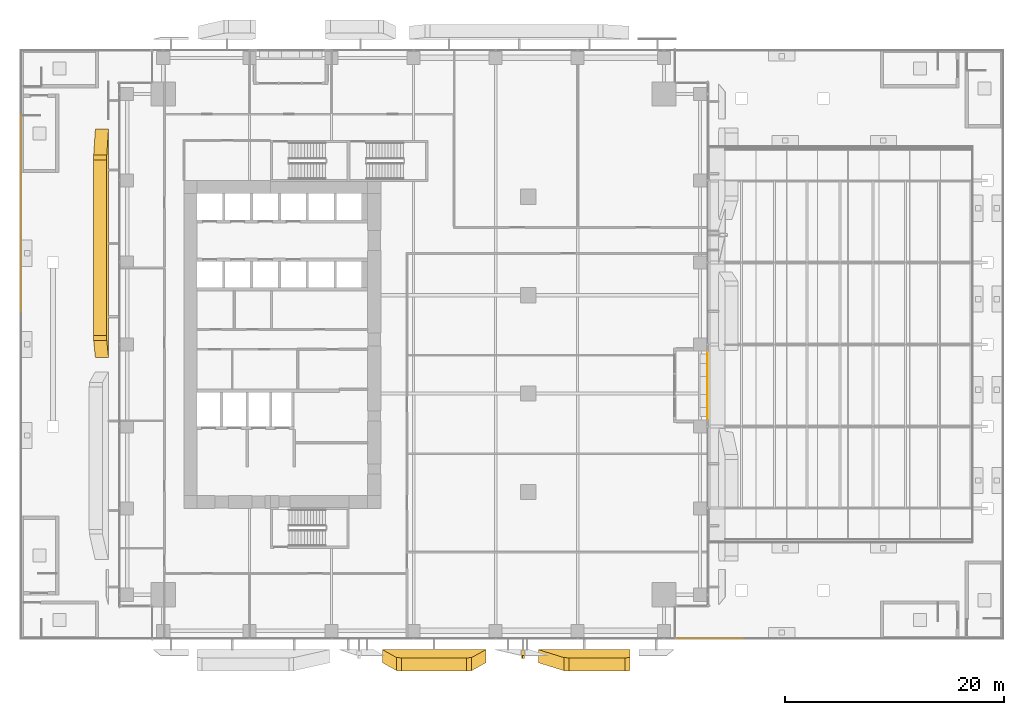
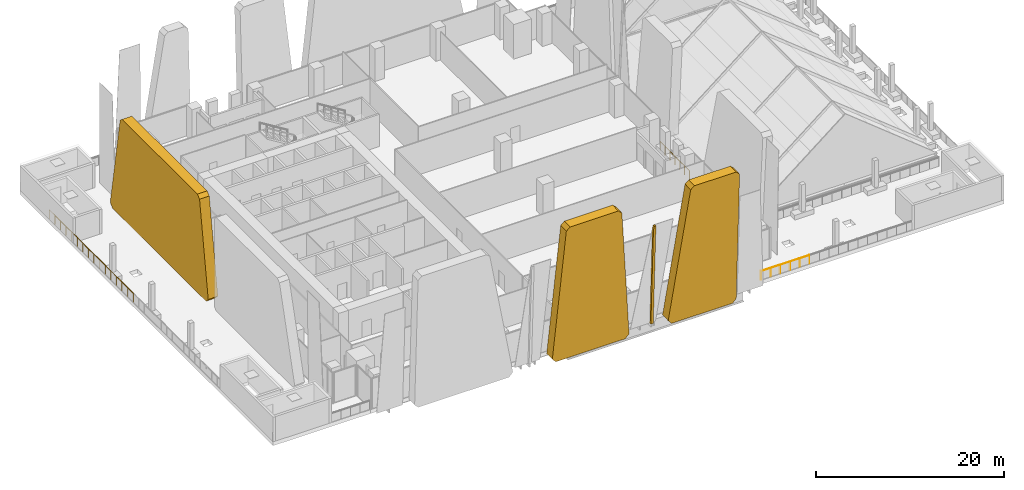
# One storey, part 43 of 46: 5 railings, 4 coverings.
"""IFC4 building model written with IfcOpenShell, lengths in metres."""

from ifc_helpers import new_model, si_unit, direction, frame, origin, origin_2d, place, context, subcontext, project, spatial, polyline, circle, outline, extrude, source, transform, mapped, material, layer, layer_set, type_object, element, save


model = new_model("IFC4")

# Units and contexts
model_context = context("Model", 3, precision=1e-05, world=origin(), true_north=direction((0.0, 1.0)))
body_context = subcontext(model_context, "Body", "Model", "MODEL_VIEW")
ifc_project = project(units=[si_unit("LENGTHUNIT", "METRE"), si_unit("AREAUNIT", "SQUARE_METRE"), si_unit("VOLUMEUNIT", "CUBIC_METRE"), si_unit("PLANEANGLEUNIT", "RADIAN"), si_unit("MASSUNIT", "GRAM", prefix="KILO")], contexts=[model_context])

# Site, building, storey
site_placement = place(None, origin())
site = spatial("IfcSite", under=ifc_project, at=site_placement, CompositionType="ELEMENT")
building_placement = place(site_placement, origin())
building = spatial("IfcBuilding", under=site, at=building_placement, Name="Khomas Fold Tower", CompositionType="ELEMENT")
storey_placement = place(building_placement, frame((0.0, 0.0, 33.0)))
storey = spatial("IfcBuildingStorey", under=building, at=storey_placement, Name="L06", CompositionType="ELEMENT", Elevation=33.0)

# Coverings
ifc_material_1 = material(Name="Natural stone cladding", Category="masonry")
ifc_layer_1 = layer(ifc_material_1, 0.25)
ifc_layer_set_1 = layer_set([ifc_layer_1], Name="Natural stone cladding")
covering_type_1 = type_object("IfcCoveringType", Name="SK-Karibib marble stone mullion", PredefinedType="CLADDING", material=ifc_layer_set_1)
covering_1_placement = place(storey_placement, frame((36.85009765625, -0.89990234375, 0.0), z_axis=(-0.000125469863, 0.999042304017, 0.043754531682), x_axis=(-6.24e-10, -0.043754532026, 0.99904231188)))
element("IfcCovering", 1, at=covering_1_placement, inside=storey, type_object=covering_type_1, Name="OUTER SKIN mullion L06 SM105-6", PredefinedType="CLADDING", context=body_context, shape_type="SweptSolid", body=[
    extrude(outline(polyline([(0.0, 0.0), (12.525181537478657, 1.3552527156068805e-20), (13.062558119176884, 0.10302735271390003), (13.062558119054067, 0.299804694914998), (-1.8712173482963238e-10, 0.2998046851401344), (0.0, 0.0)])), origin(), (0.0, 0.0, -1.0), 0.25),
])
ifc_material_2 = material(Name="Natural stone cladding", Category="masonry")
ifc_layer_2 = layer(ifc_material_2, 1.199951171875)
ifc_layer_set_2 = layer_set([ifc_layer_2], Name="Natural stone cladding")
covering_type_2 = type_object("IfcCoveringType", Name="SK-Karibib marble stone panel", PredefinedType="CLADDING", material=ifc_layer_set_2)
covering_2_placement = place(storey_placement, frame((32.299072265625, -1.650390625, 17.13525390625), z_axis=(0.0, 0.999041970293, 0.043762330752), x_axis=(0.078001545378, 0.043628997349, -0.995998127262)))
element("IfcCovering", 2, at=covering_2_placement, inside=storey, type_object=covering_type_2, Name="OUTER SKIN leaf L06 SS06-2", PredefinedType="CLADDING", context=body_context, shape_type="SweptSolid", body=[
    extrude(outline(polyline([(0.0, 0.0), (16.717041589372858, 2.220446049250313e-16), (17.166132693189525, 0.48523867558214206), (16.498968108037026, 9.01240169875149), (15.979892707524709, 9.42164621407382), (-0.5337278594527901, 6.82168173917815), (-0.9126600256181968, 6.341932293531645), (-0.4489355062070971, 0.41497714204461067), (0.0, 0.0)])), origin(), (0.0, 0.0, -1.0), 1.199951171875),
])
covering_3_placement = place(storey_placement, frame((46.800048828125, -1.64892578125, 17.10009765625), z_axis=(9.226456e-06, 0.9990419672, 0.043762400394), x_axis=(5.6e-11, 0.043762400395, -0.999041967242)))
element("IfcCovering", 3, at=covering_3_placement, inside=storey, type_object=covering_type_2, Name="OUTER SKIN leaf L06 SS09-3", PredefinedType="CLADDING", context=body_context, shape_type="SweptSolid", body=[
    extrude(outline(polyline([(0.0, 0.0), (16.666108743639604, 8.470329472543003e-22), (17.11649426609, 0.44995117248537436), (17.11649426567168, 7.9333496096668545), (16.603063280780386, 8.378906250318392), (-0.06280155599773238, 6.031738281569734), (-0.45038552278779725, 5.585937499132716), (-0.4503855225006974, 0.4499511712263225), (0.0, 0.0)])), origin(), (0.0, 0.0, -1.0), 1.199951171875),
])
covering_4_placement = place(storey_placement, frame((-1.066650390625, 44.304443359375, 12.6865234375), z_axis=(0.999913526882, -6.790504e-06, 0.013150616432), x_axis=(0.012906874161, 0.19214715042, -0.981281246731)))
element("IfcCovering", 4, at=covering_4_placement, inside=storey, type_object=covering_type_2, Name="OUTER SKIN leaf L06 WS08-2", PredefinedType="CLADDING", context=body_context, shape_type="SweptSolid", body=[
    extrude(outline(polyline([(0.0, 0.0), (12.381918672504515, 0.0), (12.8234848354217, -0.5364930137733255), (8.98002580685229, -20.16645103116147), (8.395877521539083, -20.506840439739012), (-3.226501341898828, -16.628861929272663), (-3.5258512354625338, -16.11573625889155), (-0.44164553441745263, -0.36356406752075177), (0.0, 0.0)])), origin(), (0.0, 0.0, -1.0), 1.199951171875),
])

# Railings
ifc_material_3 = material(Name="Powder-coated steel", Category="steel")
railing_type = type_object("IfcRailingType", Name="Balcony guard", PredefinedType="GUARDRAIL", material=ifc_material_3)
shared_shape_1 = source(origin(), body_context, "Body", "SweptSolid", [
    extrude(circle(Radius=0.02490234375, at=origin_2d()), frame((0.0, 0.0, 1.125), z_axis=(0.0, 1.0, 0.0), x_axis=(-1.0, 0.0, 0.0)), (0.0, 0.0, 1.0), 6.240234375),
    extrude(circle(Radius=0.02001953125, at=origin_2d()), origin(), (0.0, 0.0, 1.0), 1.099853515625),
    extrude(circle(Radius=0.02001953125, at=origin_2d()), frame((0.0, 1.0400390625, 0.0)), (0.0, 0.0, 1.0), 1.099853515625),
    extrude(circle(Radius=0.02001953125, at=origin_2d()), frame((0.0, 2.080078125, 0.0)), (0.0, 0.0, 1.0), 1.099853515625),
    extrude(circle(Radius=0.02001953125, at=origin_2d()), frame((0.0, 3.1201171875, 0.0)), (0.0, 0.0, 1.0), 1.099853515625),
    extrude(circle(Radius=0.02001953125, at=origin_2d()), frame((0.0, 4.16015625, 0.0)), (0.0, 0.0, 1.0), 1.099853515625),
    extrude(circle(Radius=0.02001953125, at=origin_2d()), frame((0.0, 5.2001953125, 0.0)), (0.0, 0.0, 1.0), 1.099853515625),
    extrude(circle(Radius=0.02001953125, at=origin_2d()), frame((0.0, 6.240234375, 0.0)), (0.0, 0.0, 1.0), 1.099853515625),
])
railing_1_placement = place(storey_placement, frame((53.89990234375, 20.1298828125, -0.044921875)))
element("IfcRailing", 5, at=railing_1_placement, inside=storey, type_object=railing_type, Name="Balcony guard BAL-L06-E2", PredefinedType="GUARDRAIL", context=body_context, shape_type="MappedRepresentation", body=[
    mapped(shared_shape_1, transform((0.0, 0.0, 0.0))),
])
shared_shape_2 = source(origin(), body_context, "Body", "SweptSolid", [
    extrude(circle(Radius=0.02490234375, at=origin_2d()), frame((0.0, 0.0, 1.125), z_axis=(-1.0, 0.0, 0.0), x_axis=(0.0, -1.0, 0.0)), (0.0, 0.0, 1.0), 5.9580078125),
    extrude(circle(Radius=0.02001953125, at=origin_2d()), origin(), (0.0, 0.0, 1.0), 1.099853515625),
    extrude(circle(Radius=0.02001953125, at=origin_2d()), frame((-1.191650390625, 0.0, 0.0)), (0.0, 0.0, 1.0), 1.099853515625),
    extrude(circle(Radius=0.02001953125, at=origin_2d()), frame((-2.38330078125, 0.0, 0.0)), (0.0, 0.0, 1.0), 1.099853515625),
    extrude(circle(Radius=0.02001953125, at=origin_2d()), frame((-3.57470703125, 0.0, 0.0)), (0.0, 0.0, 1.0), 1.099853515625),
    extrude(circle(Radius=0.02001953125, at=origin_2d()), frame((-4.766357421875, 0.0, 0.0)), (0.0, 0.0, 1.0), 1.099853515625),
    extrude(circle(Radius=0.02001953125, at=origin_2d()), frame((-5.9580078125, 0.0, 0.0)), (0.0, 0.0, 1.0), 1.099853515625),
])
railing_2_placement = place(storey_placement, frame((57.068115234375, 0.10009765625, 0.0)))
element("IfcRailing", 6, at=railing_2_placement, inside=storey, type_object=railing_type, Name="GUARD 201", PredefinedType="GUARDRAIL", context=body_context, shape_type="MappedRepresentation", body=[
    mapped(shared_shape_2, transform((0.0, 0.0, 0.0))),
])
shared_shape_3 = source(origin(), body_context, "Body", "SweptSolid", [
    extrude(circle(Radius=0.02490234375, at=origin_2d()), frame((0.0, 0.0, 1.125), z_axis=(0.0, 1.0, 0.0), x_axis=(-1.0, 0.0, 0.0)), (0.0, 0.0, 1.0), 5.977783203125),
    extrude(circle(Radius=0.02001953125, at=origin_2d()), origin(), (0.0, 0.0, 1.0), 1.099853515625),
    extrude(circle(Radius=0.02001953125, at=origin_2d()), frame((0.0, 1.195556640625, 0.0)), (0.0, 0.0, 1.0), 1.099853515625),
    extrude(circle(Radius=0.02001953125, at=origin_2d()), frame((0.0, 2.39111328125, 0.0)), (0.0, 0.0, 1.0), 1.099853515625),
    extrude(circle(Radius=0.02001953125, at=origin_2d()), frame((0.0, 3.586669921875, 0.0)), (0.0, 0.0, 1.0), 1.099853515625),
    extrude(circle(Radius=0.02001953125, at=origin_2d()), frame((0.0, 4.7822265625, 0.0)), (0.0, 0.0, 1.0), 1.099853515625),
    extrude(circle(Radius=0.02001953125, at=origin_2d()), frame((0.0, 5.977783203125, 0.0)), (0.0, 0.0, 1.0), 1.099853515625),
])
for number, where, name in (
    (7, (-8.89990234375, 29.98876953125, 0.0), "GUARD 201"),
    (8, (-8.89990234375, 35.966552734375, 0.0), "GUARD 201"),
    (9, (-8.89990234375, 41.9443359375, 0.0), "GUARD 201"),
):
    element("IfcRailing", number, at=place(storey_placement, frame(where)), inside=storey, type_object=railing_type, Name=name, PredefinedType="GUARDRAIL", context=body_context, shape_type="MappedRepresentation", body=[
        mapped(shared_shape_3, transform((0.0, 0.0, 0.0))),
    ])

save(model, "model.ifc")
